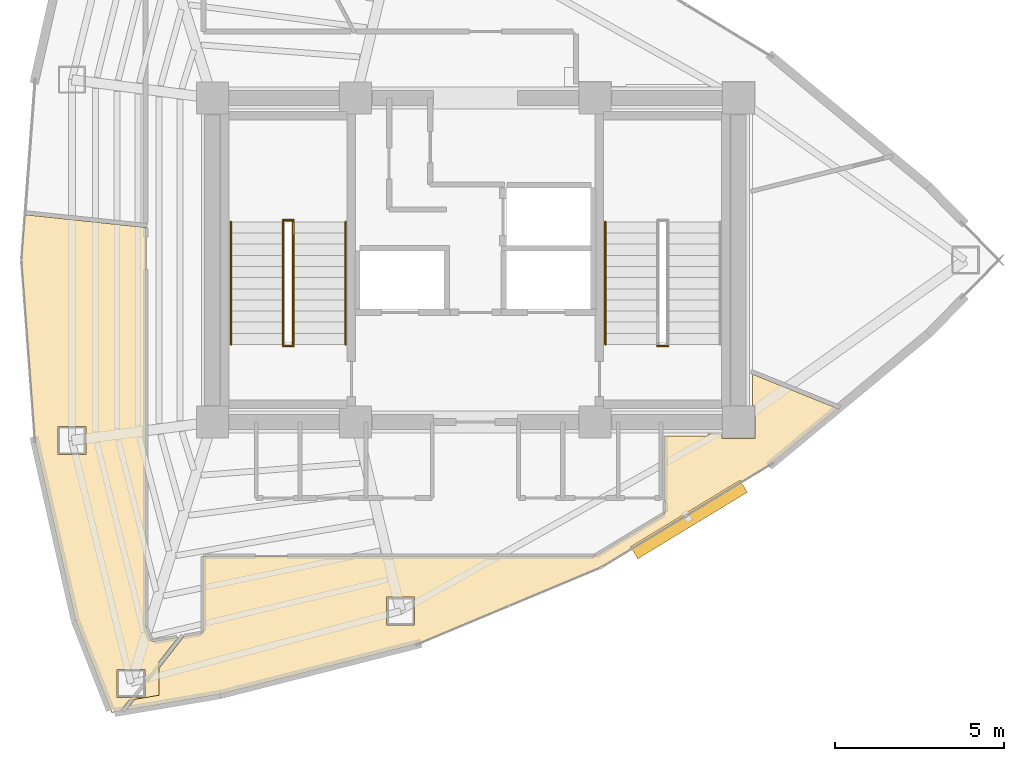
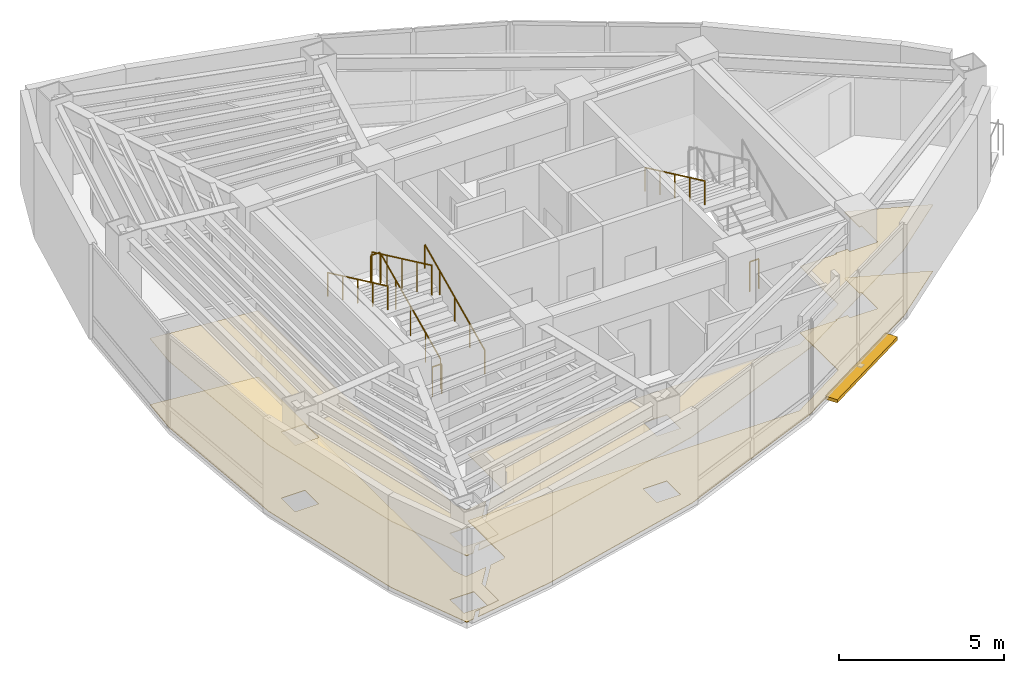
# One storey, part 14 of 15: 8 railings, 4 coverings, 1 shading device.
"""IFC4 building model written with IfcOpenShell, lengths in metres."""

from ifc_helpers import new_model, si_unit, direction, frame, origin, origin_2d, place, context, subcontext, project, spatial, polyline, rectangle, circle, outline, extrude, material, layer, layer_set, type_object, element, save


model = new_model("IFC4")

# Units and contexts
model_context = context("Model", 3, precision=1e-05, world=origin(), true_north=direction((0.0, 1.0)))
body_context = subcontext(model_context, "Body", "Model", "MODEL_VIEW")
ifc_project = project(units=[si_unit("LENGTHUNIT", "METRE"), si_unit("AREAUNIT", "SQUARE_METRE"), si_unit("VOLUMEUNIT", "CUBIC_METRE"), si_unit("PLANEANGLEUNIT", "RADIAN"), si_unit("MASSUNIT", "GRAM", prefix="KILO")], contexts=[model_context])

# Site, building, storey
site_placement = place(None, origin())
site = spatial("IfcSite", under=ifc_project, at=site_placement, CompositionType="ELEMENT")
building_placement = place(site_placement, origin())
building = spatial("IfcBuilding", under=site, at=building_placement, Name="Menara Vayukalpa", CompositionType="ELEMENT")
storey_placement = place(building_placement, frame((0.0, 0.0, 254.580078125)))
storey = spatial("IfcBuildingStorey", under=building, at=storey_placement, Name="L64", CompositionType="ELEMENT", Elevation=254.580078125)

# Coverings
ifc_material_1 = material(Name="Mineral Fibre Acoustic Ceiling Tile", Category="masonry")
ifc_layer_1 = layer(ifc_material_1, 0.02490234375)
ifc_layer_set_1 = layer_set([ifc_layer_1], Name="Mineral Fibre Acoustic Ceiling Tile")
covering_type_1 = type_object("IfcCoveringType", Name="COV-CLG1", PredefinedType="CEILING", material=ifc_layer_set_1)
covering_1_placement = place(storey_placement, frame((0.0, 0.0, 2.449951171875)))
element("IfcCovering", 1, at=covering_1_placement, inside=storey, type_object=covering_type_1, Name="L64 Digital Engineering Lab Acoustic Ceiling", PredefinedType="CEILING", context=body_context, shape_type="SweptSolid", body=[
    extrude(outline(polyline([(15.326416015625, 8.94775390625), (15.10205078125, 8.66064453125), (15.098388671875, 8.65576171875), (15.095703125, 8.650390625), (15.09326171875, 8.645263671875), (15.09130859375, 8.639404296875), (15.0908203125, 8.638427734375), (15.090576171875, 8.637451171875), (15.090087890625, 8.63671875), (15.08935546875, 8.635986328125), (15.088623046875, 8.63525390625), (15.087890625, 8.634521484375), (15.087158203125, 8.634033203125), (15.086181640625, 8.633544921875), (15.08544921875, 8.63330078125), (15.08447265625, 8.6328125), (15.08349609375, 8.632568359375), (14.82861328125, 8.58935546875), (14.827392578125, 8.589111328125), (14.826416015625, 8.589111328125), (14.82568359375, 8.58935546875), (14.82470703125, 8.58935546875), (14.82373046875, 8.589599609375), (14.82275390625, 8.590087890625), (14.822021484375, 8.590576171875), (14.821044921875, 8.591064453125), (14.8203125, 8.591552734375), (14.819580078125, 8.59228515625), (14.81884765625, 8.593017578125), (14.818359375, 8.59375), (14.81787109375, 8.5947265625), (14.8173828125, 8.595458984375), (13.751953125, 11.308837890625), (13.751708984375, 11.309814453125), (13.75146484375, 11.310302734375), (12.549072265625, 16.654052734375), (12.548828125, 16.655517578125), (12.148193359375, 21.999267578125), (12.148193359375, 22.0), (12.148193359375, 22.000732421875), (12.247802734375, 23.33251953125), (12.248046875, 23.33349609375), (12.248291015625, 23.334716796875), (12.24853515625, 23.335693359375), (12.2490234375, 23.33642578125), (12.24951171875, 23.33740234375), (12.25, 23.338134765625), (12.250732421875, 23.3388671875), (12.25146484375, 23.339599609375), (12.252197265625, 23.340087890625), (12.253173828125, 23.3408203125), (12.25390625, 23.341064453125), (12.2548828125, 23.341552734375), (12.256103515625, 23.341796875), (12.2568359375, 23.341796875), (12.2578125, 23.341796875), (12.2587890625, 23.341796875), (15.821044921875, 22.96728515625), (15.822021484375, 22.96728515625), (15.822998046875, 22.967041015625), (15.823974609375, 22.966796875), (15.82470703125, 22.96630859375), (15.82568359375, 22.9658203125), (15.826416015625, 22.965087890625), (15.8271484375, 22.964599609375), (15.82763671875, 22.9638671875), (15.828369140625, 22.962890625), (15.828857421875, 22.962158203125), (15.8291015625, 22.961181640625), (15.82958984375, 22.96044921875), (15.829833984375, 22.95947265625), (15.830078125, 22.95849609375), (15.830078125, 22.95751953125), (15.830078125, 11.146484375), (15.830322265625, 11.1396484375), (15.831298828125, 11.13330078125), (15.832763671875, 11.126708984375), (15.8349609375, 11.12060546875), (15.984619140625, 10.7392578125), (15.987548828125, 10.732666015625), (15.990966796875, 10.726806640625), (15.994873046875, 10.72119140625), (15.999267578125, 10.716064453125), (16.00439453125, 10.71142578125), (16.009765625, 10.707275390625), (16.015625, 10.70361328125), (16.021484375, 10.700439453125), (16.02783203125, 10.697998046875), (16.034423828125, 10.6962890625), (16.041259765625, 10.695068359375), (16.048095703125, 10.694580078125), (16.054931640625, 10.694580078125), (16.06201171875, 10.695556640625), (16.7626953125, 10.814697265625), (16.763671875, 10.814697265625), (16.7646484375, 10.814697265625), (16.765625, 10.814697265625), (16.7666015625, 10.814453125), (16.767578125, 10.814208984375), (16.7685546875, 10.813720703125), (16.76953125, 10.813232421875), (16.770263671875, 10.812744140625), (16.77099609375, 10.81201171875), (16.771728515625, 10.811279296875), (16.7724609375, 10.810791015625), (16.77294921875, 10.809814453125), (16.7734375, 10.808837890625), (16.773681640625, 10.80810546875), (16.774169921875, 10.80712890625), (16.7744140625, 10.80615234375), (16.7744140625, 10.80517578125), (16.7744140625, 10.80419921875), (16.7744140625, 10.802978515625), (16.774169921875, 10.802001953125), (16.773681640625, 10.801025390625), (16.773193359375, 10.80029296875), (16.77294921875, 10.79931640625), (16.772216796875, 10.798583984375), (16.22412109375, 10.096923828125), (16.22412109375, 9.10009765625), (15.326416015625, 8.94775390625)]), holes=[polyline([(14.97412109375, 9.870361328125), (14.97412109375, 9.040283203125), (15.80419921875, 9.040283203125), (15.80419921875, 9.870361328125), (14.97412109375, 9.870361328125)]), polyline([(14.053955078125, 17.068359375), (13.22412109375, 17.068359375), (13.22412109375, 16.23828125), (14.053955078125, 16.23828125), (14.053955078125, 17.068359375)])]), origin(), (0.0, 0.0, 1.0), 0.02490234375),
])
covering_2_placement = place(storey_placement, frame((0.0, 0.0, 2.449951171875)))
element("IfcCovering", 2, at=covering_2_placement, inside=storey, type_object=covering_type_1, Name="L64 Digital Engineering Lab Acoustic Ceiling", PredefinedType="CEILING", context=body_context, shape_type="SweptSolid", body=[
    extrude(outline(polyline([(16.959716796875, 10.84326171875), (16.9609375, 10.84521484375), (16.96142578125, 10.845947265625), (16.962158203125, 10.8466796875), (16.962890625, 10.847412109375), (16.9638671875, 10.847900390625), (16.964599609375, 10.848388671875), (16.965576171875, 10.8486328125), (16.966552734375, 10.84912109375), (16.96728515625, 10.849365234375), (17.471435546875, 10.934814453125), (17.478515625, 10.936279296875), (17.485107421875, 10.938720703125), (17.49169921875, 10.94140625), (17.497802734375, 10.94482421875), (17.50341796875, 10.94921875), (17.5087890625, 10.95361328125), (17.513427734375, 10.958740234375), (17.517822265625, 10.96435546875), (17.521484375, 10.97021484375), (17.5244140625, 10.9765625), (17.52685546875, 10.983154296875), (17.528564453125, 10.989990234375), (17.529541015625, 10.996826171875), (17.530029296875, 11.004150390625), (17.530029296875, 13.2099609375), (17.530029296875, 13.2109375), (17.5302734375, 13.2119140625), (17.530517578125, 13.212890625), (17.53076171875, 13.2138671875), (17.53125, 13.214599609375), (17.53173828125, 13.215576171875), (17.5322265625, 13.21630859375), (17.532958984375, 13.217041015625), (17.53369140625, 13.2177734375), (17.534423828125, 13.21826171875), (17.535400390625, 13.21875), (17.5361328125, 13.21923828125), (17.537109375, 13.219482421875), (17.5380859375, 13.2197265625), (17.5390625, 13.219970703125), (17.5400390625, 13.219970703125), (29.109619140625, 13.219970703125), (29.11669921875, 13.220458984375), (29.12353515625, 13.221435546875), (29.13037109375, 13.22314453125), (29.13720703125, 13.2255859375), (29.153076171875, 13.232177734375), (29.157958984375, 13.234375), (29.16259765625, 13.237060546875), (31.18603515625, 14.46630859375), (31.1923828125, 14.470458984375), (31.19775390625, 14.47509765625), (31.20263671875, 14.480224609375), (31.20703125, 14.48583984375), (31.2109375, 14.491943359375), (31.214111328125, 14.498291015625), (31.216552734375, 14.5048828125), (31.218505859375, 14.511962890625), (31.219482421875, 14.51904296875), (31.219970703125, 14.5263671875), (31.219970703125, 14.849609375), (31.219482421875, 14.856689453125), (31.21875, 14.86376953125), (31.217041015625, 14.870361328125), (31.214599609375, 14.876708984375), (31.2119140625, 14.8828125), (31.211669921875, 14.883056640625), (31.211181640625, 14.8837890625), (31.210693359375, 14.884765625), (31.21044921875, 14.8857421875), (31.210205078125, 14.88671875), (31.2099609375, 14.8876953125), (31.2099609375, 14.888671875), (31.2099609375, 16.780029296875), (31.2099609375, 16.781005859375), (31.210205078125, 16.781982421875), (31.21044921875, 16.782958984375), (31.210693359375, 16.78369140625), (31.211181640625, 16.78466796875), (31.211669921875, 16.78564453125), (31.21240234375, 16.786376953125), (31.212890625, 16.787109375), (31.213623046875, 16.78759765625), (31.21435546875, 16.788330078125), (31.21533203125, 16.788818359375), (31.21630859375, 16.789306640625), (31.217041015625, 16.78955078125), (31.218017578125, 16.789794921875), (31.218994140625, 16.7900390625), (31.219970703125, 16.7900390625), (32.489990234375, 16.7900390625), (32.489990234375, 16.85009765625), (32.909912109375, 16.85009765625), (32.909912109375, 16.7099609375), (33.889892578125, 16.7099609375), (33.889892578125, 17.68994140625), (33.81005859375, 17.68994140625), (33.81005859375, 18.603515625), (33.81005859375, 18.6044921875), (33.810302734375, 18.605224609375), (33.810302734375, 18.606201171875), (33.810791015625, 18.607177734375), (33.811279296875, 18.608154296875), (33.811767578125, 18.60888671875), (33.812255859375, 18.609619140625), (33.81298828125, 18.6103515625), (33.813720703125, 18.611083984375), (33.814453125, 18.61181640625), (33.815185546875, 18.6123046875), (33.816162109375, 18.612548828125), (33.81689453125, 18.613037109375), (33.818115234375, 18.61328125), (33.819091796875, 18.61328125), (33.81982421875, 18.61328125), (33.82080078125, 18.61328125), (33.822021484375, 18.61328125), (33.82275390625, 18.613037109375), (33.82373046875, 18.61279296875), (36.321044921875, 17.603759765625), (36.322021484375, 17.603271484375), (36.322998046875, 17.602783203125), (36.32373046875, 17.602294921875), (36.324462890625, 17.6015625), (36.3251953125, 17.600830078125), (36.32568359375, 17.60009765625), (36.326171875, 17.59912109375), (36.32666015625, 17.598388671875), (36.326904296875, 17.597412109375), (36.3271484375, 17.596435546875), (36.327392578125, 17.595458984375), (36.327392578125, 17.594482421875), (36.327392578125, 17.593505859375), (36.3271484375, 17.592529296875), (36.326904296875, 17.591552734375), (36.32666015625, 17.590576171875), (36.326171875, 17.589599609375), (36.32568359375, 17.5888671875), (36.3251953125, 17.588134765625), (36.324462890625, 17.58740234375), (36.32373046875, 17.586669921875), (34.374755859375, 15.97021484375), (34.37353515625, 15.969482421875), (29.3271484375, 12.904052734375), (29.326416015625, 12.90380859375), (29.32568359375, 12.9033203125), (23.878662109375, 10.624755859375), (23.877197265625, 10.624267578125), (18.028564453125, 9.1328125), (18.027587890625, 9.132568359375), (15.28076171875, 8.666015625), (15.27978515625, 8.666015625), (15.27880859375, 8.666015625), (15.277587890625, 8.666015625), (15.276611328125, 8.666259765625), (15.275634765625, 8.66650390625), (15.27490234375, 8.6669921875), (15.27392578125, 8.66748046875), (15.273193359375, 8.66796875), (15.272216796875, 8.668701171875), (15.271484375, 8.669189453125), (15.27099609375, 8.669921875), (15.2705078125, 8.6708984375), (15.27001953125, 8.671875), (15.26953125, 8.672607421875), (15.269287109375, 8.673583984375), (15.26904296875, 8.674560546875), (15.26904296875, 8.675537109375), (15.26904296875, 8.676513671875), (15.26904296875, 8.677490234375), (15.269287109375, 8.6787109375), (15.269775390625, 8.6796875), (15.27001953125, 8.680419921875), (15.2705078125, 8.681396484375), (15.27099609375, 8.68212890625), (15.501953125, 8.9775390625), (14.99169921875, 8.890869140625), (14.55419921875, 10.0048828125), (14.55419921875, 10.290283203125), (16.22412109375, 10.290283203125), (16.22412109375, 9.90185546875), (16.959716796875, 10.84326171875)]), holes=[polyline([(14.97412109375, 9.870361328125), (14.97412109375, 9.040283203125), (15.80419921875, 9.040283203125), (15.80419921875, 9.870361328125), (14.97412109375, 9.870361328125)]), polyline([(23.796875, 12.01025390625), (22.966796875, 12.01025390625), (22.966796875, 11.18017578125), (23.796875, 11.18017578125), (23.796875, 12.01025390625)])]), origin(), (0.0, 0.0, 1.0), 0.02490234375),
])
ifc_material_2 = material(Name="Porcelain Stoneware Floor Tile", Category="masonry")
ifc_layer_2 = layer(ifc_material_2, 0.02001953125)
ifc_layer_set_2 = layer_set([ifc_layer_2], Name="Porcelain Stoneware Floor Tile")
covering_type_2 = type_object("IfcCoveringType", Name="COV-FLR1", PredefinedType="FLOORING", material=ifc_layer_set_2)
covering_3_placement = place(storey_placement, origin())
element("IfcCovering", 3, at=covering_3_placement, inside=storey, type_object=covering_type_2, Name="L64 Digital Engineering Lab Porcelain Flooring", PredefinedType="FLOORING", context=body_context, shape_type="SweptSolid", body=[
    extrude(outline(polyline([(15.326416015625, 8.94775390625), (15.10205078125, 8.66064453125), (15.098388671875, 8.65576171875), (15.095703125, 8.650390625), (15.09326171875, 8.645263671875), (15.09130859375, 8.639404296875), (15.0908203125, 8.638427734375), (15.090576171875, 8.637451171875), (15.090087890625, 8.63671875), (15.08935546875, 8.635986328125), (15.088623046875, 8.63525390625), (15.087890625, 8.634521484375), (15.087158203125, 8.634033203125), (15.086181640625, 8.633544921875), (15.08544921875, 8.63330078125), (15.08447265625, 8.6328125), (15.08349609375, 8.632568359375), (14.82861328125, 8.58935546875), (14.827392578125, 8.589111328125), (14.826416015625, 8.589111328125), (14.82568359375, 8.58935546875), (14.82470703125, 8.58935546875), (14.82373046875, 8.589599609375), (14.82275390625, 8.590087890625), (14.822021484375, 8.590576171875), (14.821044921875, 8.591064453125), (14.8203125, 8.591552734375), (14.819580078125, 8.59228515625), (14.81884765625, 8.593017578125), (14.818359375, 8.59375), (14.81787109375, 8.5947265625), (14.8173828125, 8.595458984375), (13.751953125, 11.308837890625), (13.751708984375, 11.309814453125), (13.75146484375, 11.310302734375), (12.549072265625, 16.654052734375), (12.548828125, 16.655517578125), (12.148193359375, 21.999267578125), (12.148193359375, 22.0), (12.148193359375, 22.000732421875), (12.247802734375, 23.33251953125), (12.248046875, 23.33349609375), (12.248291015625, 23.334716796875), (12.24853515625, 23.335693359375), (12.2490234375, 23.33642578125), (12.24951171875, 23.33740234375), (12.25, 23.338134765625), (12.250732421875, 23.3388671875), (12.25146484375, 23.339599609375), (12.252197265625, 23.340087890625), (12.253173828125, 23.3408203125), (12.25390625, 23.341064453125), (12.2548828125, 23.341552734375), (12.256103515625, 23.341796875), (12.2568359375, 23.341796875), (12.2578125, 23.341796875), (12.2587890625, 23.341796875), (15.821044921875, 22.96728515625), (15.822021484375, 22.96728515625), (15.822998046875, 22.967041015625), (15.823974609375, 22.966796875), (15.82470703125, 22.96630859375), (15.82568359375, 22.9658203125), (15.826416015625, 22.965087890625), (15.8271484375, 22.964599609375), (15.82763671875, 22.9638671875), (15.828369140625, 22.962890625), (15.828857421875, 22.962158203125), (15.8291015625, 22.961181640625), (15.82958984375, 22.96044921875), (15.829833984375, 22.95947265625), (15.830078125, 22.95849609375), (15.830078125, 22.95751953125), (15.830078125, 11.146484375), (15.830322265625, 11.1396484375), (15.831298828125, 11.13330078125), (15.832763671875, 11.126708984375), (15.8349609375, 11.12060546875), (15.984619140625, 10.7392578125), (15.987548828125, 10.732666015625), (15.990966796875, 10.726806640625), (15.994873046875, 10.72119140625), (15.999267578125, 10.716064453125), (16.00439453125, 10.71142578125), (16.009765625, 10.707275390625), (16.015625, 10.70361328125), (16.021484375, 10.700439453125), (16.02783203125, 10.697998046875), (16.034423828125, 10.6962890625), (16.041259765625, 10.695068359375), (16.048095703125, 10.694580078125), (16.054931640625, 10.694580078125), (16.06201171875, 10.695556640625), (16.7626953125, 10.814697265625), (16.763671875, 10.814697265625), (16.7646484375, 10.814697265625), (16.765625, 10.814697265625), (16.7666015625, 10.814453125), (16.767578125, 10.814208984375), (16.7685546875, 10.813720703125), (16.76953125, 10.813232421875), (16.770263671875, 10.812744140625), (16.77099609375, 10.81201171875), (16.771728515625, 10.811279296875), (16.7724609375, 10.810791015625), (16.77294921875, 10.809814453125), (16.7734375, 10.808837890625), (16.773681640625, 10.80810546875), (16.774169921875, 10.80712890625), (16.7744140625, 10.80615234375), (16.7744140625, 10.80517578125), (16.7744140625, 10.80419921875), (16.7744140625, 10.802978515625), (16.774169921875, 10.802001953125), (16.773681640625, 10.801025390625), (16.773193359375, 10.80029296875), (16.77294921875, 10.79931640625), (16.772216796875, 10.798583984375), (16.22412109375, 10.096923828125), (16.22412109375, 9.10009765625), (15.326416015625, 8.94775390625)]), holes=[polyline([(14.97412109375, 9.870361328125), (14.97412109375, 9.040283203125), (15.80419921875, 9.040283203125), (15.80419921875, 9.870361328125), (14.97412109375, 9.870361328125)]), polyline([(14.053955078125, 17.068359375), (13.22412109375, 17.068359375), (13.22412109375, 16.23828125), (14.053955078125, 16.23828125), (14.053955078125, 17.068359375)])]), origin(), (0.0, 0.0, 1.0), 0.02001953125),
])
covering_4_placement = place(storey_placement, origin())
element("IfcCovering", 4, at=covering_4_placement, inside=storey, type_object=covering_type_2, Name="L64 Digital Engineering Lab Porcelain Flooring", PredefinedType="FLOORING", context=body_context, shape_type="SweptSolid", body=[
    extrude(outline(polyline([(16.959716796875, 10.84326171875), (16.9609375, 10.84521484375), (16.96142578125, 10.845947265625), (16.962158203125, 10.8466796875), (16.962890625, 10.847412109375), (16.9638671875, 10.847900390625), (16.964599609375, 10.848388671875), (16.965576171875, 10.8486328125), (16.966552734375, 10.84912109375), (16.96728515625, 10.849365234375), (17.471435546875, 10.934814453125), (17.478515625, 10.936279296875), (17.485107421875, 10.938720703125), (17.49169921875, 10.94140625), (17.497802734375, 10.94482421875), (17.50341796875, 10.94921875), (17.5087890625, 10.95361328125), (17.513427734375, 10.958740234375), (17.517822265625, 10.96435546875), (17.521484375, 10.97021484375), (17.5244140625, 10.9765625), (17.52685546875, 10.983154296875), (17.528564453125, 10.989990234375), (17.529541015625, 10.996826171875), (17.530029296875, 11.004150390625), (17.530029296875, 13.2099609375), (17.530029296875, 13.2109375), (17.5302734375, 13.2119140625), (17.530517578125, 13.212890625), (17.53076171875, 13.2138671875), (17.53125, 13.214599609375), (17.53173828125, 13.215576171875), (17.5322265625, 13.21630859375), (17.532958984375, 13.217041015625), (17.53369140625, 13.2177734375), (17.534423828125, 13.21826171875), (17.535400390625, 13.21875), (17.5361328125, 13.21923828125), (17.537109375, 13.219482421875), (17.5380859375, 13.2197265625), (17.5390625, 13.219970703125), (17.5400390625, 13.219970703125), (29.109619140625, 13.219970703125), (29.11669921875, 13.220458984375), (29.12353515625, 13.221435546875), (29.13037109375, 13.22314453125), (29.13720703125, 13.2255859375), (29.153076171875, 13.232177734375), (29.157958984375, 13.234375), (29.16259765625, 13.237060546875), (31.18603515625, 14.46630859375), (31.1923828125, 14.470458984375), (31.19775390625, 14.47509765625), (31.20263671875, 14.480224609375), (31.20703125, 14.48583984375), (31.2109375, 14.491943359375), (31.214111328125, 14.498291015625), (31.216552734375, 14.5048828125), (31.218505859375, 14.511962890625), (31.219482421875, 14.51904296875), (31.219970703125, 14.5263671875), (31.219970703125, 14.849609375), (31.219482421875, 14.856689453125), (31.21875, 14.86376953125), (31.217041015625, 14.870361328125), (31.214599609375, 14.876708984375), (31.2119140625, 14.8828125), (31.211669921875, 14.883056640625), (31.211181640625, 14.8837890625), (31.210693359375, 14.884765625), (31.21044921875, 14.8857421875), (31.210205078125, 14.88671875), (31.2099609375, 14.8876953125), (31.2099609375, 14.888671875), (31.2099609375, 16.780029296875), (31.2099609375, 16.781005859375), (31.210205078125, 16.781982421875), (31.21044921875, 16.782958984375), (31.210693359375, 16.78369140625), (31.211181640625, 16.78466796875), (31.211669921875, 16.78564453125), (31.21240234375, 16.786376953125), (31.212890625, 16.787109375), (31.213623046875, 16.78759765625), (31.21435546875, 16.788330078125), (31.21533203125, 16.788818359375), (31.21630859375, 16.789306640625), (31.217041015625, 16.78955078125), (31.218017578125, 16.789794921875), (31.218994140625, 16.7900390625), (31.219970703125, 16.7900390625), (32.489990234375, 16.7900390625), (32.489990234375, 16.85009765625), (32.909912109375, 16.85009765625), (32.909912109375, 16.7099609375), (33.889892578125, 16.7099609375), (33.889892578125, 17.68994140625), (33.81005859375, 17.68994140625), (33.81005859375, 18.603515625), (33.81005859375, 18.6044921875), (33.810302734375, 18.605224609375), (33.810302734375, 18.606201171875), (33.810791015625, 18.607177734375), (33.811279296875, 18.608154296875), (33.811767578125, 18.60888671875), (33.812255859375, 18.609619140625), (33.81298828125, 18.6103515625), (33.813720703125, 18.611083984375), (33.814453125, 18.61181640625), (33.815185546875, 18.6123046875), (33.816162109375, 18.612548828125), (33.81689453125, 18.613037109375), (33.818115234375, 18.61328125), (33.819091796875, 18.61328125), (33.81982421875, 18.61328125), (33.82080078125, 18.61328125), (33.822021484375, 18.61328125), (33.82275390625, 18.613037109375), (33.82373046875, 18.61279296875), (36.321044921875, 17.603759765625), (36.322021484375, 17.603271484375), (36.322998046875, 17.602783203125), (36.32373046875, 17.602294921875), (36.324462890625, 17.6015625), (36.3251953125, 17.600830078125), (36.32568359375, 17.60009765625), (36.326171875, 17.59912109375), (36.32666015625, 17.598388671875), (36.326904296875, 17.597412109375), (36.3271484375, 17.596435546875), (36.327392578125, 17.595458984375), (36.327392578125, 17.594482421875), (36.327392578125, 17.593505859375), (36.3271484375, 17.592529296875), (36.326904296875, 17.591552734375), (36.32666015625, 17.590576171875), (36.326171875, 17.589599609375), (36.32568359375, 17.5888671875), (36.3251953125, 17.588134765625), (36.324462890625, 17.58740234375), (36.32373046875, 17.586669921875), (34.374755859375, 15.97021484375), (34.37353515625, 15.969482421875), (29.3271484375, 12.904052734375), (29.326416015625, 12.90380859375), (29.32568359375, 12.9033203125), (23.878662109375, 10.624755859375), (23.877197265625, 10.624267578125), (18.028564453125, 9.1328125), (18.027587890625, 9.132568359375), (15.28076171875, 8.666015625), (15.27978515625, 8.666015625), (15.27880859375, 8.666015625), (15.277587890625, 8.666015625), (15.276611328125, 8.666259765625), (15.275634765625, 8.66650390625), (15.27490234375, 8.6669921875), (15.27392578125, 8.66748046875), (15.273193359375, 8.66796875), (15.272216796875, 8.668701171875), (15.271484375, 8.669189453125), (15.27099609375, 8.669921875), (15.2705078125, 8.6708984375), (15.27001953125, 8.671875), (15.26953125, 8.672607421875), (15.269287109375, 8.673583984375), (15.26904296875, 8.674560546875), (15.26904296875, 8.675537109375), (15.26904296875, 8.676513671875), (15.26904296875, 8.677490234375), (15.269287109375, 8.6787109375), (15.269775390625, 8.6796875), (15.27001953125, 8.680419921875), (15.2705078125, 8.681396484375), (15.27099609375, 8.68212890625), (15.501953125, 8.9775390625), (14.99169921875, 8.890869140625), (14.55419921875, 10.0048828125), (14.55419921875, 10.290283203125), (16.22412109375, 10.290283203125), (16.22412109375, 9.90185546875), (16.959716796875, 10.84326171875)]), holes=[polyline([(14.97412109375, 9.870361328125), (14.97412109375, 9.040283203125), (15.80419921875, 9.040283203125), (15.80419921875, 9.870361328125), (14.97412109375, 9.870361328125)]), polyline([(23.796875, 12.01025390625), (22.966796875, 12.01025390625), (22.966796875, 11.18017578125), (23.796875, 11.18017578125), (23.796875, 12.01025390625)])]), origin(), (0.0, 0.0, 1.0), 0.02001953125),
])

# Railings
ifc_material_3 = material(Name="Powder-Coated Galvanised Steel Guardrail", Category="steel")
railing_type_1 = type_object("IfcRailingType", Name="RLG-STG110", PredefinedType="GUARDRAIL", material=ifc_material_3)
railing_1_placement = place(storey_placement, frame((20.199951171875, 19.5, 0.155029296875)))
element("IfcRailing", 5, at=railing_1_placement, inside=storey, type_object=railing_type_1, Name="L64 ST-1 stair guard 1", PredefinedType="GUARDRAIL", context=body_context, shape_type="SweptSolid", body=[
    extrude(circle(Radius=0.02392578125, at=origin_2d()), frame((0.0, 0.0, 1.09619140625), z_axis=(0.0, 0.90513990983, 0.425113800803), x_axis=(-1.0, 0.0, 0.0)), (0.0, 0.0, 1.0), 4.01025390625),
    extrude(circle(Radius=0.02099609375, at=origin_2d()), origin(), (0.0, 0.0, 1.0), 1.072021484375),
    extrude(circle(Radius=0.02099609375, at=origin_2d()), frame((0.0, 0.907470703125, 0.42626953125)), (0.0, 0.0, 1.0), 1.072021484375),
    extrude(circle(Radius=0.02099609375, at=origin_2d()), frame((0.0, 1.81494140625, 0.8525390625)), (0.0, 0.0, 1.0), 1.072021484375),
    extrude(circle(Radius=0.02099609375, at=origin_2d()), frame((0.0, 2.722412109375, 1.278564453125)), (0.0, 0.0, 1.0), 1.072021484375),
    extrude(circle(Radius=0.02099609375, at=origin_2d()), frame((0.0, 3.6298828125, 1.704833984375)), (0.0, 0.0, 1.0), 1.072021484375),
])
railing_2_placement = place(storey_placement, frame((20.2099609375, 23.179931640625, 1.85986328125)))
element("IfcRailing", 6, at=railing_2_placement, inside=storey, type_object=railing_type_1, Name="L64 ST-1 stair guard 2", PredefinedType="GUARDRAIL", context=body_context, shape_type="SweptSolid", body=[
    extrude(circle(Radius=0.02392578125, at=origin_2d()), frame((0.0, 0.0, 1.09619140625), z_axis=(-1.0, 0.0, 0.0), x_axis=(0.0, -1.0, 0.0)), (0.0, 0.0, 1.0), 0.320068359375),
    extrude(circle(Radius=0.02099609375, at=origin_2d()), origin(), (0.0, 0.0, 1.0), 1.072021484375),
    extrude(circle(Radius=0.02099609375, at=origin_2d()), frame((-0.320068359375, 0.0, 0.0)), (0.0, 0.0, 1.0), 1.072021484375),
])
railing_3_placement = place(storey_placement, frame((19.89990234375, 23.1298828125, 2.014892578125)))
element("IfcRailing", 7, at=railing_3_placement, inside=storey, type_object=railing_type_1, Name="L64 ST-1 stair guard 3", PredefinedType="GUARDRAIL", context=body_context, shape_type="SweptSolid", body=[
    extrude(circle(Radius=0.02392578125, at=origin_2d()), frame((0.0, 0.0, 1.09619140625), z_axis=(0.0, -0.90511648382, 0.425163675209), x_axis=(1.0, 0.0, 0.0)), (0.0, 0.0, 1.0), 4.010498046875),
    extrude(circle(Radius=0.02099609375, at=origin_2d()), origin(), (0.0, 0.0, 1.0), 1.072021484375),
    extrude(circle(Radius=0.02099609375, at=origin_2d()), frame((0.0, -0.907470703125, 0.42626953125)), (0.0, 0.0, 1.0), 1.072021484375),
    extrude(circle(Radius=0.02099609375, at=origin_2d()), frame((0.0, -1.81494140625, 0.8525390625)), (0.0, 0.0, 1.0), 1.072021484375),
    extrude(circle(Radius=0.02099609375, at=origin_2d()), frame((0.0, -2.722412109375, 1.27880859375)), (0.0, 0.0, 1.0), 1.072021484375),
    extrude(circle(Radius=0.02099609375, at=origin_2d()), frame((0.0, -3.6298828125, 1.705078125)), (0.0, 0.0, 1.0), 1.072021484375),
])
for number, where, name in (
    (8, (20.2099609375, 19.449951171875, 0.0), "L64 ST-1 stair guard 4"),
    (9, (31.31005859375, 19.449951171875, 0.0), "L64 ST-2 stair guard 4"),
):
    element("IfcRailing", number, at=place(storey_placement, frame(where)), inside=storey, type_object=railing_type_1, Name=name, PredefinedType="GUARDRAIL", context=body_context, shape_type="SweptSolid", body=[
        extrude(circle(Radius=0.02392578125, at=origin_2d()), frame((0.0, 0.0, 1.09619140625), z_axis=(-1.0, 0.0, 0.0), x_axis=(0.0, -1.0, 0.0)), (0.0, 0.0, 1.0), 0.320068359375),
        extrude(circle(Radius=0.02099609375, at=origin_2d()), origin(), (0.0, 0.0, 1.0), 1.072021484375),
        extrude(circle(Radius=0.02099609375, at=origin_2d()), frame((-0.320068359375, 0.0, 0.0)), (0.0, 0.0, 1.0), 1.072021484375),
    ])
ifc_material_4 = material(Name="Stainless Steel 316 Tubular Handrail", Category="steel")
railing_type_2 = type_object("IfcRailingType", Name="RLG-STH090", PredefinedType="HANDRAIL", material=ifc_material_4)
railing_4_placement = place(storey_placement, frame((21.75, 19.5, 0.155029296875)))
element("IfcRailing", 10, at=railing_4_placement, inside=storey, type_object=railing_type_2, Name="L64 ST-1 stair handrail 1", PredefinedType="HANDRAIL", context=body_context, shape_type="SweptSolid", body=[
    extrude(circle(Radius=0.02392578125, at=origin_2d()), frame((0.0, 0.0, 0.8759765625), z_axis=(0.0, 0.90513990983, 0.425113800803), x_axis=(-1.0, 0.0, 0.0)), (0.0, 0.0, 1.0), 4.01025390625),
    extrude(circle(Radius=0.02099609375, at=origin_2d()), origin(), (0.0, 0.0, 1.0), 0.851806640625),
    extrude(circle(Radius=0.02099609375, at=origin_2d()), frame((0.0, 0.907470703125, 0.42626953125)), (0.0, 0.0, 1.0), 0.851806640625),
    extrude(circle(Radius=0.02099609375, at=origin_2d()), frame((0.0, 1.81494140625, 0.8525390625)), (0.0, 0.0, 1.0), 0.851806640625),
    extrude(circle(Radius=0.02099609375, at=origin_2d()), frame((0.0, 2.722412109375, 1.278564453125)), (0.0, 0.0, 1.0), 0.851806640625),
    extrude(circle(Radius=0.02099609375, at=origin_2d()), frame((0.0, 3.6298828125, 1.704833984375)), (0.0, 0.0, 1.0), 0.851806640625),
])
for number, where, name in (
    (11, (18.35009765625, 23.1298828125, 2.014892578125), "L64 ST-1 stair handrail 2"),
    (12, (29.449951171875, 23.1298828125, 2.014892578125), "L64 ST-2 stair handrail 2"),
):
    element("IfcRailing", number, at=place(storey_placement, frame(where)), inside=storey, type_object=railing_type_2, Name=name, PredefinedType="HANDRAIL", context=body_context, shape_type="SweptSolid", body=[
        extrude(circle(Radius=0.02392578125, at=origin_2d()), frame((0.0, 0.0, 0.8759765625), z_axis=(0.0, -0.90511648382, 0.425163675209), x_axis=(1.0, 0.0, 0.0)), (0.0, 0.0, 1.0), 4.010498046875),
        extrude(circle(Radius=0.02099609375, at=origin_2d()), origin(), (0.0, 0.0, 1.0), 0.851806640625),
        extrude(circle(Radius=0.02099609375, at=origin_2d()), frame((0.0, -0.907470703125, 0.42626953125)), (0.0, 0.0, 1.0), 0.851806640625),
        extrude(circle(Radius=0.02099609375, at=origin_2d()), frame((0.0, -1.81494140625, 0.8525390625)), (0.0, 0.0, 1.0), 0.851806640625),
        extrude(circle(Radius=0.02099609375, at=origin_2d()), frame((0.0, -2.722412109375, 1.27880859375)), (0.0, 0.0, 1.0), 0.851806640625),
        extrude(circle(Radius=0.02099609375, at=origin_2d()), frame((0.0, -3.6298828125, 1.705078125)), (0.0, 0.0, 1.0), 0.851806640625),
    ])

# Shading device
ifc_material_5 = material(Name="Glazed Terracotta Ceramic Baguette Extrusion", Category="masonry")
ifc_layer_3 = layer(ifc_material_5, 0.1201171875)
ifc_layer_set_3 = layer_set([ifc_layer_3], Name="Glazed Terracotta Ceramic Baguette Extrusion")
shading_device_type = type_object("IfcShadingDeviceType", Name="SHD-SS1", PredefinedType="USERDEFINED", material=ifc_layer_set_3)
shading_device_placement = place(storey_placement, frame((31.927978515625, 14.30859375, -0.10009765625), z_axis=(0.0, 0.0, 1.0), x_axis=(0.85466730962, 0.519176068272, 0.0)))
element("IfcShadingDevice", 13, at=shading_device_placement, inside=storey, type_object=shading_device_type, Name="L64 Horizontal Terracotta Sunshade Band 17", ObjectType="SUNSHADE", PredefinedType="USERDEFINED", context=body_context, shape_type="SweptSolid", body=[
    extrude(rectangle(XDim=3.800048828125, YDim=0.419921875, at=origin_2d()), origin(), (0.0, 0.0, 1.0), 0.1201171875),
])

save(model, "model.ifc")
